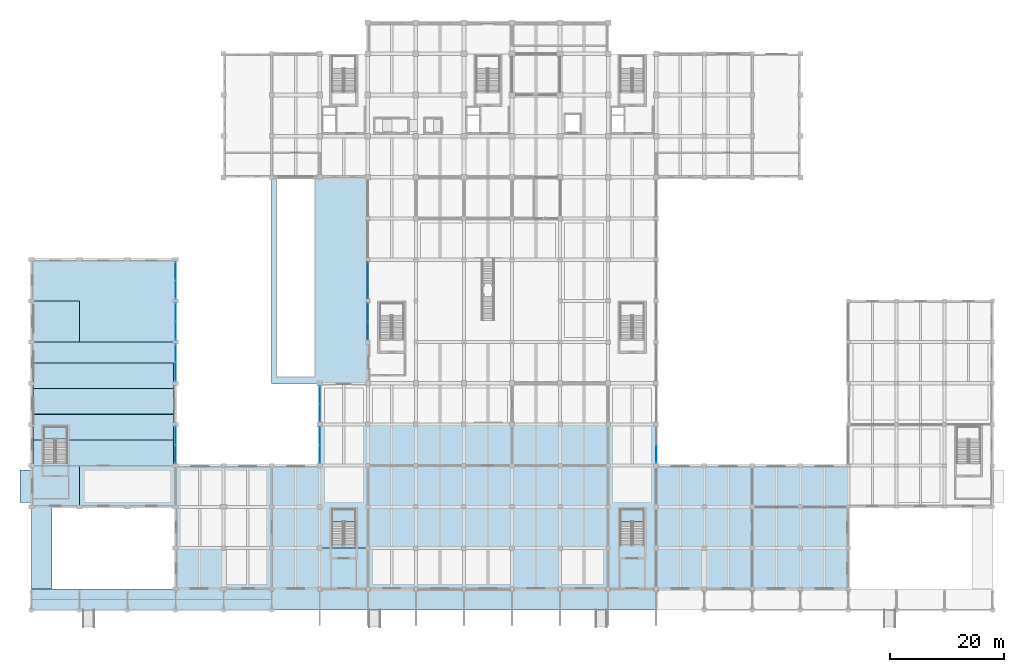
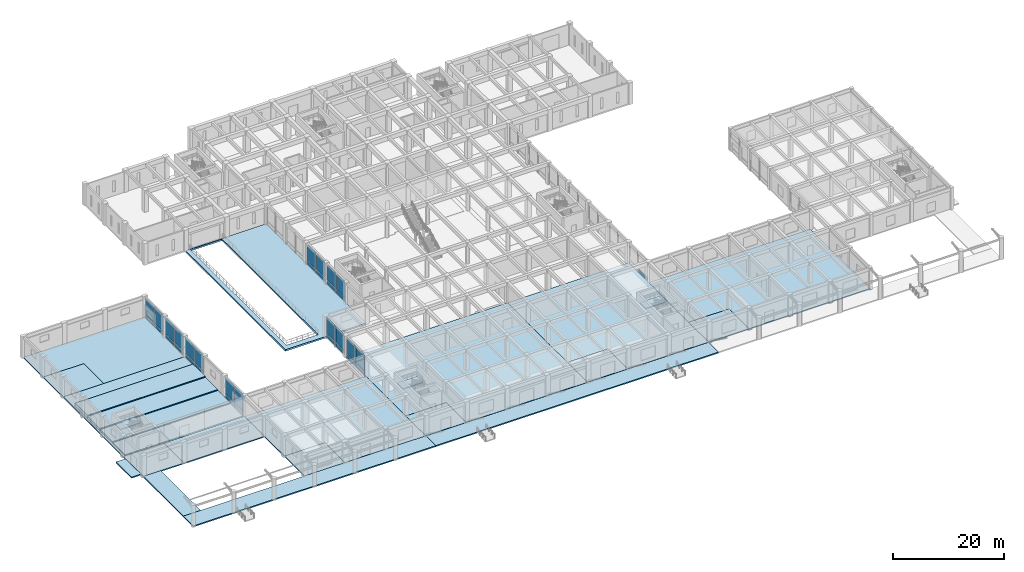
# One storey, part 19 of 49: 33 plates, 24 slabs, 12 elements without a shape of their own.
"""IFC4 building model written with IfcOpenShell, lengths in metres."""

from ifc_helpers import new_model, si_unit, direction, frame, origin, origin_2d, place, context, subcontext, project, spatial, polyline, rectangle, outline, extrude, material, layer, layer_set, type_object, element, aggregate, save


model = new_model("IFC4")

# Units and contexts
model_context = context("Model", 3, precision=1e-05, world=origin(), true_north=direction((0.0, 1.0)))
body_context = subcontext(model_context, "Body", "Model", "MODEL_VIEW")
ifc_project = project(units=[si_unit("LENGTHUNIT", "METRE"), si_unit("AREAUNIT", "SQUARE_METRE"), si_unit("VOLUMEUNIT", "CUBIC_METRE"), si_unit("PLANEANGLEUNIT", "RADIAN"), si_unit("MASSUNIT", "GRAM", prefix="KILO")], contexts=[model_context])

# Site, building, storey
site_placement = place(None, origin())
site = spatial("IfcSite", under=ifc_project, at=site_placement, CompositionType="ELEMENT")
building_placement = place(site_placement, origin())
building = spatial("IfcBuilding", under=site, at=building_placement, Name="Kenerak Square Central Library", CompositionType="ELEMENT")
storey_placement = place(building_placement, origin())
storey = spatial("IfcBuildingStorey", under=building, at=storey_placement, Name="L00", CompositionType="ELEMENT", Elevation=0.0)

# Curtain wall, plates
ifc_material_1 = material(Name="Anodised aluminium and solar-control low-E glazing", Category="aluminium")
curtain_wall_type_1 = type_object("IfcCurtainWallType", Name="Curtain Wall CW-V3-65x45 6500x4525", PredefinedType="USERDEFINED", material=ifc_material_1)
curtain_wall_1_placement = place(storey_placement, origin())
curtain_wall_1 = element("IfcCurtainWall", 1, at=curtain_wall_1_placement, inside=storey, type_object=curtain_wall_type_1, Name="Curtain Wall CW-V3-65x45 L00 0017", ObjectType="CURTAIN WALL", PredefinedType="USERDEFINED")
ifc_material_2 = material(Name="Acoustic solar-control low-E double glazing", Category="glass")
ifc_layer_1 = layer(ifc_material_2, 0.028076171875)
ifc_layer_set_1 = layer_set([ifc_layer_1], Name="Acoustic solar-control low-E double glazing")
plate_type_1 = type_object("IfcPlateType", Name="Acoustic Laminated Curtain Panel CP-28", PredefinedType="CURTAIN_PANEL", material=ifc_layer_set_1)
plate_1_placement = place(storey_placement, frame((33.199951171875, 72.405029296875, 0.080078125), z_axis=(0.0, 0.0, 1.0), x_axis=(0.0, -1.0, 0.0)))
plate_1 = element("IfcPlate", 2, at=plate_1_placement, type_object=plate_type_1, Name="CW-V3-65x45 Panel 1.1", PredefinedType="CURTAIN_PANEL", context=body_context, shape_type="SweptSolid", body=[
    extrude(rectangle(XDim=3.1298828125, YDim=0.028076171875, at=origin_2d()), origin(), (0.0, 0.0, 1.0), 0.780029296875),
])
plate_2_placement = place(storey_placement, frame((33.199951171875, 72.405029296875, 0.93994140625), z_axis=(0.0, 0.0, 1.0), x_axis=(0.0, -1.0, 0.0)))
plate_2 = element("IfcPlate", 3, at=plate_2_placement, type_object=plate_type_1, Name="CW-V3-65x45 Panel 1.2", PredefinedType="CURTAIN_PANEL", context=body_context, shape_type="SweptSolid", body=[
    extrude(rectangle(XDim=3.1298828125, YDim=0.028076171875, at=origin_2d()), origin(), (0.0, 0.0, 1.0), 3.5048828125),
])
plate_3_placement = place(storey_placement, frame((33.199951171875, 69.195068359375, 0.080078125), z_axis=(0.0, 0.0, 1.0), x_axis=(0.0, -1.0, 0.0)))
plate_3 = element("IfcPlate", 4, at=plate_3_placement, type_object=plate_type_1, Name="CW-V3-65x45 Panel 2.1", PredefinedType="CURTAIN_PANEL", context=body_context, shape_type="SweptSolid", body=[
    extrude(rectangle(XDim=3.1298828125, YDim=0.028076171875, at=origin_2d()), origin(), (0.0, 0.0, 1.0), 0.780029296875),
])
plate_4_placement = place(storey_placement, frame((33.199951171875, 69.195068359375, 0.93994140625), z_axis=(0.0, 0.0, 1.0), x_axis=(0.0, -1.0, 0.0)))
plate_4 = element("IfcPlate", 5, at=plate_4_placement, type_object=plate_type_1, Name="CW-V3-65x45 Panel 2.2", PredefinedType="CURTAIN_PANEL", context=body_context, shape_type="SweptSolid", body=[
    extrude(rectangle(XDim=3.1298828125, YDim=0.028076171875, at=origin_2d()), origin(), (0.0, 0.0, 1.0), 3.5048828125),
])
aggregate(curtain_wall_1, [plate_1, plate_2, plate_3, plate_4])

curtain_wall_2_placement = place(storey_placement, origin())
curtain_wall_2 = element("IfcCurtainWall", 6, at=curtain_wall_2_placement, inside=storey, type_object=curtain_wall_type_1, Name="Curtain Wall CW-V3-65x45 L00 0018", ObjectType="CURTAIN WALL", PredefinedType="USERDEFINED")
plate_5_placement = place(storey_placement, frame((33.199951171875, 65.205078125, 0.080078125), z_axis=(0.0, 0.0, 1.0), x_axis=(0.0, -1.0, 0.0)))
plate_5 = element("IfcPlate", 7, at=plate_5_placement, type_object=plate_type_1, Name="CW-V3-65x45 Panel 1.1", PredefinedType="CURTAIN_PANEL", context=body_context, shape_type="SweptSolid", body=[
    extrude(rectangle(XDim=3.1298828125, YDim=0.028076171875, at=origin_2d()), origin(), (0.0, 0.0, 1.0), 0.780029296875),
])
plate_6_placement = place(storey_placement, frame((33.199951171875, 65.205078125, 0.93994140625), z_axis=(0.0, 0.0, 1.0), x_axis=(0.0, -1.0, 0.0)))
plate_6 = element("IfcPlate", 8, at=plate_6_placement, type_object=plate_type_1, Name="CW-V3-65x45 Panel 1.2", PredefinedType="CURTAIN_PANEL", context=body_context, shape_type="SweptSolid", body=[
    extrude(rectangle(XDim=3.1298828125, YDim=0.028076171875, at=origin_2d()), origin(), (0.0, 0.0, 1.0), 3.5048828125),
])
plate_7_placement = place(storey_placement, frame((33.199951171875, 61.9951171875, 0.080078125), z_axis=(0.0, 0.0, 1.0), x_axis=(0.0, -1.0, 0.0)))
plate_7 = element("IfcPlate", 9, at=plate_7_placement, type_object=plate_type_1, Name="CW-V3-65x45 Panel 2.1", PredefinedType="CURTAIN_PANEL", context=body_context, shape_type="SweptSolid", body=[
    extrude(rectangle(XDim=3.1298828125, YDim=0.028076171875, at=origin_2d()), origin(), (0.0, 0.0, 1.0), 0.780029296875),
])
plate_8_placement = place(storey_placement, frame((33.199951171875, 61.9951171875, 0.93994140625), z_axis=(0.0, 0.0, 1.0), x_axis=(0.0, -1.0, 0.0)))
plate_8 = element("IfcPlate", 10, at=plate_8_placement, type_object=plate_type_1, Name="CW-V3-65x45 Panel 2.2", PredefinedType="CURTAIN_PANEL", context=body_context, shape_type="SweptSolid", body=[
    extrude(rectangle(XDim=3.1298828125, YDim=0.028076171875, at=origin_2d()), origin(), (0.0, 0.0, 1.0), 3.5048828125),
])
aggregate(curtain_wall_2, [plate_5, plate_6, plate_7, plate_8])

curtain_wall_3_placement = place(storey_placement, origin())
curtain_wall_3 = element("IfcCurtainWall", 11, at=curtain_wall_3_placement, inside=storey, type_object=curtain_wall_type_1, Name="Curtain Wall CW-V3-65x45 L00 0019", ObjectType="CURTAIN WALL", PredefinedType="USERDEFINED")
plate_9_placement = place(storey_placement, frame((33.199951171875, 58.0048828125, 0.080078125), z_axis=(0.0, 0.0, 1.0), x_axis=(0.0, -1.0, 0.0)))
plate_9 = element("IfcPlate", 12, at=plate_9_placement, type_object=plate_type_1, Name="CW-V3-65x45 Panel 1.1", PredefinedType="CURTAIN_PANEL", context=body_context, shape_type="SweptSolid", body=[
    extrude(rectangle(XDim=3.1298828125, YDim=0.028076171875, at=origin_2d()), origin(), (0.0, 0.0, 1.0), 0.780029296875),
])
plate_10_placement = place(storey_placement, frame((33.199951171875, 58.0048828125, 0.93994140625), z_axis=(0.0, 0.0, 1.0), x_axis=(0.0, -1.0, 0.0)))
plate_10 = element("IfcPlate", 13, at=plate_10_placement, type_object=plate_type_1, Name="CW-V3-65x45 Panel 1.2", PredefinedType="CURTAIN_PANEL", context=body_context, shape_type="SweptSolid", body=[
    extrude(rectangle(XDim=3.1298828125, YDim=0.028076171875, at=origin_2d()), origin(), (0.0, 0.0, 1.0), 3.5048828125),
])
plate_11_placement = place(storey_placement, frame((33.199951171875, 54.794921875, 0.080078125), z_axis=(0.0, 0.0, 1.0), x_axis=(0.0, -1.0, 0.0)))
plate_11 = element("IfcPlate", 14, at=plate_11_placement, type_object=plate_type_1, Name="CW-V3-65x45 Panel 2.1", PredefinedType="CURTAIN_PANEL", context=body_context, shape_type="SweptSolid", body=[
    extrude(rectangle(XDim=3.1298828125, YDim=0.028076171875, at=origin_2d()), origin(), (0.0, 0.0, 1.0), 0.780029296875),
])
plate_12_placement = place(storey_placement, frame((33.199951171875, 54.794921875, 0.93994140625), z_axis=(0.0, 0.0, 1.0), x_axis=(0.0, -1.0, 0.0)))
plate_12 = element("IfcPlate", 15, at=plate_12_placement, type_object=plate_type_1, Name="CW-V3-65x45 Panel 2.2", PredefinedType="CURTAIN_PANEL", context=body_context, shape_type="SweptSolid", body=[
    extrude(rectangle(XDim=3.1298828125, YDim=0.028076171875, at=origin_2d()), origin(), (0.0, 0.0, 1.0), 3.5048828125),
])
aggregate(curtain_wall_3, [plate_9, plate_10, plate_11, plate_12])

curtain_wall_4_placement = place(storey_placement, origin())
curtain_wall_4 = element("IfcCurtainWall", 16, at=curtain_wall_4_placement, inside=storey, type_object=curtain_wall_type_1, Name="Curtain Wall CW-V3-65x45 L00 0020", ObjectType="CURTAIN WALL", PredefinedType="USERDEFINED")
plate_13_placement = place(storey_placement, frame((33.199951171875, 43.60498046875, 0.080078125), z_axis=(0.0, 0.0, 1.0), x_axis=(0.0, -1.0, 0.0)))
plate_13 = element("IfcPlate", 17, at=plate_13_placement, type_object=plate_type_1, Name="CW-V3-65x45 Panel 1.1", PredefinedType="CURTAIN_PANEL", context=body_context, shape_type="SweptSolid", body=[
    extrude(rectangle(XDim=3.1298828125, YDim=0.028076171875, at=origin_2d()), origin(), (0.0, 0.0, 1.0), 0.780029296875),
])
plate_14_placement = place(storey_placement, frame((33.199951171875, 43.60498046875, 0.93994140625), z_axis=(0.0, 0.0, 1.0), x_axis=(0.0, -1.0, 0.0)))
plate_14 = element("IfcPlate", 18, at=plate_14_placement, type_object=plate_type_1, Name="CW-V3-65x45 Panel 1.2", PredefinedType="CURTAIN_PANEL", context=body_context, shape_type="SweptSolid", body=[
    extrude(rectangle(XDim=3.1298828125, YDim=0.028076171875, at=origin_2d()), origin(), (0.0, 0.0, 1.0), 3.5048828125),
])
plate_15_placement = place(storey_placement, frame((33.199951171875, 40.39501953125, 0.080078125), z_axis=(0.0, 0.0, 1.0), x_axis=(0.0, -1.0, 0.0)))
plate_15 = element("IfcPlate", 19, at=plate_15_placement, type_object=plate_type_1, Name="CW-V3-65x45 Panel 2.1", PredefinedType="CURTAIN_PANEL", context=body_context, shape_type="SweptSolid", body=[
    extrude(rectangle(XDim=3.1298828125, YDim=0.028076171875, at=origin_2d()), origin(), (0.0, 0.0, 1.0), 0.780029296875),
])
plate_16_placement = place(storey_placement, frame((33.199951171875, 40.39501953125, 0.93994140625), z_axis=(0.0, 0.0, 1.0), x_axis=(0.0, -1.0, 0.0)))
plate_16 = element("IfcPlate", 20, at=plate_16_placement, type_object=plate_type_1, Name="CW-V3-65x45 Panel 2.2", PredefinedType="CURTAIN_PANEL", context=body_context, shape_type="SweptSolid", body=[
    extrude(rectangle(XDim=3.1298828125, YDim=0.028076171875, at=origin_2d()), origin(), (0.0, 0.0, 1.0), 3.5048828125),
])
aggregate(curtain_wall_4, [plate_13, plate_14, plate_15, plate_16])

# Slabs
ifc_material_3 = material(Name="Concrete C40/50", Category="concrete")
ifc_layer_2 = layer(ifc_material_3, 0.25)
ifc_layer_set_2 = layer_set([ifc_layer_2], Name="Concrete C40/50")
slab_type_1 = type_object("IfcSlabType", Name="Auditorium and Foyer Concourse Slab FS-250 C40/50", PredefinedType="FLOOR", material=ifc_layer_set_2)
slab_1_placement = place(storey_placement, frame((0.0, 0.0, -0.25)))
element("IfcSlab", 21, at=slab_1_placement, inside=storey, type_object=slab_type_1, Name="V1 Floor Slab L00 001", PredefinedType="FLOOR", context=body_context, shape_type="SweptSolid", body=[
    extrude(outline(polyline([(58.39990234375, 45.60009765625), (92.0, 45.60009765625), (92.0, 16.800048828125), (66.800048828125, 16.800048828125), (66.800048828125, 24.0), (58.39990234375, 24.0), (58.39990234375, 45.60009765625)])), origin(), (0.0, 0.0, 1.0), 0.25),
])
slab_2_placement = place(storey_placement, frame((0.0, 0.0, -0.25)))
element("IfcSlab", 22, at=slab_2_placement, inside=storey, type_object=slab_type_1, Name="V1 Floor Slab L00 002", PredefinedType="FLOOR", context=body_context, shape_type="SweptSolid", body=[
    extrude(outline(polyline([(66.800048828125, 16.800048828125), (66.800048828125, 24.0), (58.39990234375, 24.0), (58.39990234375, 16.800048828125), (66.800048828125, 16.800048828125)])), origin(), (0.0, 0.0, 1.0), 0.25),
])
slab_3_placement = place(storey_placement, frame((0.0, 0.0, -0.25)))
element("IfcSlab", 23, at=slab_3_placement, inside=storey, type_object=slab_type_1, Name="V1 Floor Slab L00 004", PredefinedType="FLOOR", context=body_context, shape_type="SweptSolid", body=[
    extrude(outline(polyline([(92.0, 45.60009765625), (117.199951171875, 45.60009765625), (117.199951171875, 16.800048828125), (100.39990234375, 16.800048828125), (100.39990234375, 24.0), (92.0, 24.0), (92.0, 45.60009765625)])), origin(), (0.0, 0.0, 1.0), 0.25),
])
slab_4_placement = place(storey_placement, frame((0.0, 0.0, -0.25)))
element("IfcSlab", 24, at=slab_4_placement, inside=storey, type_object=slab_type_1, Name="V1 Floor Slab L00 005", PredefinedType="FLOOR", context=body_context, shape_type="SweptSolid", body=[
    extrude(outline(polyline([(100.39990234375, 16.800048828125), (100.39990234375, 24.0), (92.0, 24.0), (92.0, 16.800048828125), (100.39990234375, 16.800048828125)])), origin(), (0.0, 0.0, 1.0), 0.25),
])
slab_5_placement = place(storey_placement, frame((0.0, 0.0, -0.25)))
element("IfcSlab", 25, at=slab_5_placement, inside=storey, type_object=slab_type_1, Name="V3 Floor Slab L00 028", PredefinedType="FLOOR", context=body_context, shape_type="SweptSolid", body=[
    extrude(outline(polyline([(8.0, 60.0), (33.199951171875, 60.0), (33.199951171875, 31.199951171875), (16.39990234375, 31.199951171875), (16.39990234375, 38.39990234375), (8.0, 38.39990234375), (8.0, 60.0)])), origin(), (0.0, 0.0, 1.0), 0.25),
])
slab_6_placement = place(storey_placement, frame((0.0, 0.0, -0.25)))
element("IfcSlab", 26, at=slab_6_placement, inside=storey, type_object=slab_type_1, Name="V3 Floor Slab L00 029", PredefinedType="FLOOR", context=body_context, shape_type="SweptSolid", body=[
    extrude(outline(polyline([(16.39990234375, 31.199951171875), (16.39990234375, 38.39990234375), (8.0, 38.39990234375), (8.0, 31.199951171875), (16.39990234375, 31.199951171875)])), origin(), (0.0, 0.0, 1.0), 0.25),
])
slab_7_placement = place(storey_placement, frame((0.0, 0.0, -0.25)))
element("IfcSlab", 27, at=slab_7_placement, inside=storey, type_object=slab_type_1, Name="V3 Floor Slab L00 030", PredefinedType="FLOOR", context=body_context, shape_type="SweptSolid", body=[
    extrude(outline(polyline([(8.0, 74.39990234375), (33.199951171875, 74.39990234375), (33.199951171875, 60.0), (16.39990234375, 60.0), (16.39990234375, 67.199951171875), (8.0, 67.199951171875), (8.0, 74.39990234375)])), origin(), (0.0, 0.0, 1.0), 0.25),
])
slab_8_placement = place(storey_placement, frame((0.0, 0.0, -0.25)))
element("IfcSlab", 28, at=slab_8_placement, inside=storey, type_object=slab_type_1, Name="V3 Floor Slab L00 031", PredefinedType="FLOOR", context=body_context, shape_type="SweptSolid", body=[
    extrude(outline(polyline([(16.39990234375, 60.0), (16.39990234375, 67.199951171875), (8.0, 67.199951171875), (8.0, 60.0), (16.39990234375, 60.0)])), origin(), (0.0, 0.0, 1.0), 0.25),
])
ifc_layer_3 = layer(ifc_material_3, 0.22509765625)
ifc_layer_set_3 = layer_set([ifc_layer_3], Name="Concrete C40/50")
slab_type_2 = type_object("IfcSlabType", Name="General Reading Room Slab FS-225 C40/50", PredefinedType="FLOOR", material=ifc_layer_set_3)
slab_9_placement = place(storey_placement, frame((0.0, 0.0, -0.22509765625)))
element("IfcSlab", 29, at=slab_9_placement, inside=storey, type_object=slab_type_2, Name="V6 Floor Slab L00 097", PredefinedType="FLOOR", context=body_context, shape_type="SweptSolid", body=[
    extrude(outline(polyline([(33.199951171875, 38.39990234375), (58.39990234375, 38.39990234375), (58.39990234375, 16.800048828125), (41.60009765625, 16.800048828125), (41.60009765625, 24.0), (33.199951171875, 24.0), (33.199951171875, 38.39990234375)])), origin(), (0.0, 0.0, 1.0), 0.22509765625),
])
slab_10_placement = place(storey_placement, frame((0.0, 0.0, -0.22509765625)))
element("IfcSlab", 30, at=slab_10_placement, inside=storey, type_object=slab_type_2, Name="V6 Floor Slab L00 098", PredefinedType="FLOOR", context=body_context, shape_type="SweptSolid", body=[
    extrude(outline(polyline([(41.60009765625, 16.800048828125), (41.60009765625, 24.0), (33.199951171875, 24.0), (33.199951171875, 16.800048828125), (41.60009765625, 16.800048828125)])), origin(), (0.0, 0.0, 1.0), 0.22509765625),
])
slab_11_placement = place(storey_placement, frame((0.0, 0.0, -0.22509765625)))
element("IfcSlab", 31, at=slab_11_placement, inside=storey, type_object=slab_type_2, Name="V6 Floor Slab L00 099", PredefinedType="FLOOR", context=body_context, shape_type="SweptSolid", body=[
    extrude(outline(polyline([(117.199951171875, 38.39990234375), (150.800048828125, 38.39990234375), (150.800048828125, 16.800048828125), (125.60009765625, 16.800048828125), (125.60009765625, 24.0), (117.199951171875, 24.0), (117.199951171875, 38.39990234375)])), origin(), (0.0, 0.0, 1.0), 0.22509765625),
])
slab_12_placement = place(storey_placement, frame((0.0, 0.0, -0.22509765625)))
element("IfcSlab", 32, at=slab_12_placement, inside=storey, type_object=slab_type_2, Name="V6 Floor Slab L00 100", PredefinedType="FLOOR", context=body_context, shape_type="SweptSolid", body=[
    extrude(outline(polyline([(125.60009765625, 16.800048828125), (125.60009765625, 24.0), (117.199951171875, 24.0), (117.199951171875, 16.800048828125), (125.60009765625, 16.800048828125)])), origin(), (0.0, 0.0, 1.0), 0.22509765625),
])

# Curtain wall, plates
curtain_wall_type_2 = type_object("IfcCurtainWallType", Name="Curtain Wall CW-V4-64x45 6400x4525", PredefinedType="USERDEFINED", material=ifc_material_1)
curtain_wall_5_placement = place(storey_placement, origin())
curtain_wall_5 = element("IfcCurtainWall", 33, at=curtain_wall_5_placement, inside=storey, type_object=curtain_wall_type_2, Name="Curtain Wall CW-V4-64x45 L00 0003", ObjectType="CURTAIN WALL", PredefinedType="USERDEFINED")
ifc_material_4 = material(Name="Solar-control low-E laminated double glazing", Category="glass")
ifc_layer_4 = layer(ifc_material_4, 0.02392578125)
ifc_layer_set_4 = layer_set([ifc_layer_4], Name="Solar-control low-E laminated double glazing")
plate_type_2 = type_object("IfcPlateType", Name="Low-E Double Glazed Curtain Panel CP-24", PredefinedType="CURTAIN_PANEL", material=ifc_layer_set_4)
plate_17_placement = place(storey_placement, frame((66.800048828125, 62.016357421875, 0.06494140625), z_axis=(0.0, 0.0, 1.0), x_axis=(0.0, 1.0, 0.0)))
plate_17 = element("IfcPlate", 34, at=plate_17_placement, type_object=plate_type_2, Name="CW-V4-64x45 Panel 1.1", PredefinedType="CURTAIN_PANEL", context=body_context, shape_type="SweptSolid", body=[
    extrude(rectangle(XDim=3.1025390625, YDim=0.02392578125, at=origin_2d()), origin(), (0.0, 0.0, 1.0), 0.802490234375),
])
plate_18_placement = place(storey_placement, frame((66.800048828125, 62.016357421875, 0.9326171875), z_axis=(0.0, 0.0, 1.0), x_axis=(0.0, 1.0, 0.0)))
plate_18 = element("IfcPlate", 35, at=plate_18_placement, type_object=plate_type_2, Name="CW-V4-64x45 Panel 1.2", PredefinedType="CURTAIN_PANEL", context=body_context, shape_type="SweptSolid", body=[
    extrude(rectangle(XDim=3.1025390625, YDim=0.02392578125, at=origin_2d()), origin(), (0.0, 0.0, 1.0), 3.527587890625),
])
plate_19_placement = place(storey_placement, frame((66.800048828125, 65.183837890625, 0.06494140625), z_axis=(0.0, 0.0, 1.0), x_axis=(0.0, 1.0, 0.0)))
plate_19 = element("IfcPlate", 36, at=plate_19_placement, type_object=plate_type_2, Name="CW-V4-64x45 Panel 2.1", PredefinedType="CURTAIN_PANEL", context=body_context, shape_type="SweptSolid", body=[
    extrude(rectangle(XDim=3.1025390625, YDim=0.02392578125, at=origin_2d()), origin(), (0.0, 0.0, 1.0), 0.802490234375),
])
plate_20_placement = place(storey_placement, frame((66.800048828125, 65.183837890625, 0.9326171875), z_axis=(0.0, 0.0, 1.0), x_axis=(0.0, 1.0, 0.0)))
plate_20 = element("IfcPlate", 37, at=plate_20_placement, type_object=plate_type_2, Name="CW-V4-64x45 Panel 2.2", PredefinedType="CURTAIN_PANEL", context=body_context, shape_type="SweptSolid", body=[
    extrude(rectangle(XDim=3.1025390625, YDim=0.02392578125, at=origin_2d()), origin(), (0.0, 0.0, 1.0), 3.527587890625),
])
aggregate(curtain_wall_5, [plate_17, plate_18, plate_19, plate_20])

curtain_wall_6_placement = place(storey_placement, origin())
curtain_wall_6 = element("IfcCurtainWall", 38, at=curtain_wall_6_placement, inside=storey, type_object=curtain_wall_type_2, Name="Curtain Wall CW-V4-64x45 L00 0004", ObjectType="CURTAIN WALL", PredefinedType="USERDEFINED")
plate_21_placement = place(storey_placement, frame((66.800048828125, 69.21630859375, 0.06494140625), z_axis=(0.0, 0.0, 1.0), x_axis=(0.0, 1.0, 0.0)))
plate_21 = element("IfcPlate", 39, at=plate_21_placement, type_object=plate_type_2, Name="CW-V4-64x45 Panel 1.1", PredefinedType="CURTAIN_PANEL", context=body_context, shape_type="SweptSolid", body=[
    extrude(rectangle(XDim=3.1025390625, YDim=0.02392578125, at=origin_2d()), origin(), (0.0, 0.0, 1.0), 0.802490234375),
])
plate_22_placement = place(storey_placement, frame((66.800048828125, 69.21630859375, 0.9326171875), z_axis=(0.0, 0.0, 1.0), x_axis=(0.0, 1.0, 0.0)))
plate_22 = element("IfcPlate", 40, at=plate_22_placement, type_object=plate_type_2, Name="CW-V4-64x45 Panel 1.2", PredefinedType="CURTAIN_PANEL", context=body_context, shape_type="SweptSolid", body=[
    extrude(rectangle(XDim=3.1025390625, YDim=0.02392578125, at=origin_2d()), origin(), (0.0, 0.0, 1.0), 3.527587890625),
])
plate_23_placement = place(storey_placement, frame((66.800048828125, 72.3837890625, 0.06494140625), z_axis=(0.0, 0.0, 1.0), x_axis=(0.0, 1.0, 0.0)))
plate_23 = element("IfcPlate", 41, at=plate_23_placement, type_object=plate_type_2, Name="CW-V4-64x45 Panel 2.1", PredefinedType="CURTAIN_PANEL", context=body_context, shape_type="SweptSolid", body=[
    extrude(rectangle(XDim=3.1025390625, YDim=0.02392578125, at=origin_2d()), origin(), (0.0, 0.0, 1.0), 0.802490234375),
])
plate_24_placement = place(storey_placement, frame((66.800048828125, 72.3837890625, 0.9326171875), z_axis=(0.0, 0.0, 1.0), x_axis=(0.0, 1.0, 0.0)))
plate_24 = element("IfcPlate", 42, at=plate_24_placement, type_object=plate_type_2, Name="CW-V4-64x45 Panel 2.2", PredefinedType="CURTAIN_PANEL", context=body_context, shape_type="SweptSolid", body=[
    extrude(rectangle(XDim=3.1025390625, YDim=0.02392578125, at=origin_2d()), origin(), (0.0, 0.0, 1.0), 3.527587890625),
])
aggregate(curtain_wall_6, [plate_21, plate_22, plate_23, plate_24])

# Slabs
ifc_layer_5 = layer(ifc_material_3, 0.2099609375)
ifc_layer_set_5 = layer_set([ifc_layer_5], Name="Concrete C40/50")
slab_type_3 = type_object("IfcSlabType", Name="Raked Auditorium Seating Tier Slab ST-210 C40/50", PredefinedType="USERDEFINED", material=ifc_layer_set_5)
slab_13_placement = place(storey_placement, origin())
element("IfcSlab", 43, at=slab_13_placement, inside=storey, type_object=slab_type_3, Name="Stand Lower Stalls Tier 1", ObjectType="SEATING TIER", PredefinedType="USERDEFINED", context=body_context, shape_type="SweptSolid", body=[
    extrude(outline(polyline([(8.35009765625, 38.39990234375), (32.85009765625, 38.39990234375), (32.85009765625, 42.85009765625), (8.35009765625, 42.85009765625), (8.35009765625, 38.39990234375)])), origin(), (0.0, 0.0, 1.0), 0.2099609375),
])
slab_14_placement = place(storey_placement, origin())
element("IfcSlab", 44, at=slab_14_placement, inside=storey, type_object=slab_type_3, Name="Stand Lower Stalls Tier 2", ObjectType="SEATING TIER", PredefinedType="USERDEFINED", context=body_context, shape_type="SweptSolid", body=[
    extrude(outline(polyline([(8.35009765625, 42.89990234375), (32.85009765625, 42.89990234375), (32.85009765625, 47.35009765625), (8.35009765625, 47.35009765625), (8.35009765625, 42.89990234375)])), origin(), (0.0, 0.0, 1.0), 0.3798828125),
])
slab_15_placement = place(storey_placement, origin())
element("IfcSlab", 45, at=slab_15_placement, inside=storey, type_object=slab_type_3, Name="Stand Lower Stalls Tier 3", ObjectType="SEATING TIER", PredefinedType="USERDEFINED", context=body_context, shape_type="SweptSolid", body=[
    extrude(outline(polyline([(8.35009765625, 47.39990234375), (32.85009765625, 47.39990234375), (32.85009765625, 51.85009765625), (8.35009765625, 51.85009765625), (8.35009765625, 47.39990234375)])), origin(), (0.0, 0.0, 1.0), 0.550048828125),
])
slab_16_placement = place(storey_placement, origin())
element("IfcSlab", 46, at=slab_16_placement, inside=storey, type_object=slab_type_3, Name="Stand Lower Stalls Tier 4", ObjectType="SEATING TIER", PredefinedType="USERDEFINED", context=body_context, shape_type="SweptSolid", body=[
    extrude(outline(polyline([(8.35009765625, 51.89990234375), (32.85009765625, 51.89990234375), (32.85009765625, 56.35009765625), (8.35009765625, 56.35009765625), (8.35009765625, 51.89990234375)])), origin(), (0.0, 0.0, 1.0), 0.719970703125),
])
ifc_layer_6 = layer(ifc_material_3, 0.260009765625)
ifc_layer_set_6 = layer_set([ifc_layer_6], Name="Concrete C40/50")
slab_type_4 = type_object("IfcSlabType", Name="Shaded Square Colonnade Deck Slab CS-260 C40/50", PredefinedType="FLOOR", material=ifc_layer_set_6)
slab_17_placement = place(storey_placement, frame((0.0, 0.0, -0.25)))
element("IfcSlab", 47, at=slab_17_placement, inside=storey, type_object=slab_type_4, Name="South-West Square Colonnade", PredefinedType="FLOOR", context=body_context, shape_type="SweptSolid", body=[
    extrude(outline(polyline([(8.0, 13.199951171875), (58.39990234375, 13.199951171875), (58.39990234375, 16.800048828125), (8.0, 16.800048828125), (8.0, 13.199951171875)])), origin(), (0.0, 0.0, 1.0), 0.25),
])
slab_18_placement = place(storey_placement, frame((0.0, 0.0, -0.25)))
element("IfcSlab", 48, at=slab_18_placement, inside=storey, type_object=slab_type_4, Name="West Square Colonnade", PredefinedType="FLOOR", context=body_context, shape_type="SweptSolid", body=[
    extrude(outline(polyline([(8.0, 16.800048828125), (11.60009765625, 16.800048828125), (11.60009765625, 31.199951171875), (8.0, 31.199951171875), (8.0, 16.800048828125)])), origin(), (0.0, 0.0, 1.0), 0.25),
])
slab_19_placement = place(storey_placement, frame((0.0, 0.0, -0.25)))
element("IfcSlab", 49, at=slab_19_placement, inside=storey, type_object=slab_type_4, Name="Main Square South Entrance Apron Paving", PredefinedType="FLOOR", context=body_context, shape_type="SweptSolid", body=[
    extrude(outline(polyline([(58.449951171875, 13.199951171875), (117.14990234375, 13.199951171875), (117.14990234375, 16.75), (58.449951171875, 16.75), (58.449951171875, 13.199951171875)])), origin(), (0.0, 0.0, 1.0), 0.25),
])
slab_20_placement = place(storey_placement, frame((0.0, 0.0, -0.260009765625)))
element("IfcSlab", 50, at=slab_20_placement, inside=storey, type_object=slab_type_4, Name="West Fire Exit Apron ST-06", PredefinedType="FLOOR", context=body_context, shape_type="SweptSolid", body=[
    extrude(outline(polyline([(6.0, 32.0), (8.0, 32.0), (8.0, 37.60009765625), (6.0, 37.60009765625), (6.0, 32.0)])), origin(), (0.0, 0.0, 1.0), 0.260009765625),
])

# Stair, slab
stair_type = type_object("IfcStairType", Name="Exit Dogleg Stair ST-480 C40/50", PredefinedType="HALF_TURN_STAIR", material=ifc_material_3)
stair_1_placement = place(storey_placement, origin())
stair_1 = element("IfcStair", 51, at=stair_1_placement, inside=storey, type_object=stair_type, Name="L00 Protected Exit Stair ST-04", PredefinedType="HALF_TURN_STAIR")
ifc_layer_7 = layer(ifc_material_3, 0.199951171875)
ifc_layer_set_7 = layer_set([ifc_layer_7], Name="Concrete C40/50")
slab_type_5 = type_object("IfcSlabType", Name="Stair Half-Landing Slab LD-200 C40/50", PredefinedType="LANDING", material=ifc_layer_set_7)
slab_21_placement = place(storey_placement, frame((0.0, 0.0, 2.199951171875)))
slab_21 = element("IfcSlab", 52, at=slab_21_placement, type_object=slab_type_5, Name="ST-04 Landing 1", PredefinedType="LANDING", context=body_context, shape_type="SweptSolid", body=[
    extrude(outline(polyline([(64.679931640625, 28.64990234375), (64.679931640625, 30.800048828125), (60.52001953125, 30.800048828125), (60.52001953125, 28.64990234375), (64.679931640625, 28.64990234375)])), origin(), (0.0, 0.0, 1.0), 0.199951171875),
])
aggregate(stair_1, [slab_21])

stair_2_placement = place(storey_placement, origin())
stair_2 = element("IfcStair", 53, at=stair_2_placement, inside=storey, type_object=stair_type, Name="L00 Protected Exit Stair ST-05", PredefinedType="HALF_TURN_STAIR")
slab_22_placement = place(storey_placement, frame((0.0, 0.0, 2.199951171875)))
slab_22 = element("IfcSlab", 54, at=slab_22_placement, type_object=slab_type_5, Name="ST-05 Landing 1", PredefinedType="LANDING", context=body_context, shape_type="SweptSolid", body=[
    extrude(outline(polyline([(115.080078125, 28.64990234375), (115.080078125, 30.800048828125), (110.919921875, 30.800048828125), (110.919921875, 28.64990234375), (115.080078125, 28.64990234375)])), origin(), (0.0, 0.0, 1.0), 0.199951171875),
])
aggregate(stair_2, [slab_22])

stair_3_placement = place(storey_placement, origin())
stair_3 = element("IfcStair", 55, at=stair_3_placement, inside=storey, type_object=stair_type, Name="L00 Protected Exit Stair ST-06", PredefinedType="HALF_TURN_STAIR")
slab_23_placement = place(storey_placement, frame((0.0, 0.0, 2.199951171875)))
slab_23 = element("IfcSlab", 56, at=slab_23_placement, type_object=slab_type_5, Name="ST-06 Landing 1", PredefinedType="LANDING", context=body_context, shape_type="SweptSolid", body=[
    extrude(outline(polyline([(14.280029296875, 43.050048828125), (14.280029296875, 45.199951171875), (10.1201171875, 45.199951171875), (10.1201171875, 43.050048828125), (14.280029296875, 43.050048828125)])), origin(), (0.0, 0.0, 1.0), 0.199951171875),
])
aggregate(stair_3, [slab_23])

# Slab
ifc_layer_8 = layer(ifc_material_3, 0.35009765625)
ifc_layer_set_8 = layer_set([ifc_layer_8], Name="Concrete C40/50")
slab_type_6 = type_object("IfcSlabType", Name="Transfer and Plant Room Slab FS-350 C40/50", PredefinedType="FLOOR", material=ifc_layer_set_8)
slab_24_placement = place(storey_placement, frame((0.0, 0.0, -0.35009765625)))
element("IfcSlab", 57, at=slab_24_placement, inside=storey, type_object=slab_type_6, Name="West Monsoon Court Basement Podium Deck", PredefinedType="FLOOR", context=body_context, shape_type="SweptSolid", body=[
    extrude(outline(polyline([(50.0, 52.800048828125), (66.800048828125, 52.800048828125), (66.800048828125, 88.800048828125), (50.0, 88.800048828125), (50.0, 52.800048828125)]), holes=[polyline([(50.89990234375, 54.0), (57.5, 54.0), (57.5, 88.60009765625), (50.89990234375, 88.60009765625), (50.89990234375, 54.0)])]), origin(), (0.0, 0.0, 1.0), 0.35009765625),
])

# Curtain wall, plates
curtain_wall_type_3 = type_object("IfcCurtainWallType", Name="Curtain Wall CW-V1-63x45 6300x4525", PredefinedType="USERDEFINED", material=ifc_material_1)
curtain_wall_7_placement = place(storey_placement, origin())
curtain_wall_7 = element("IfcCurtainWall", 58, at=curtain_wall_7_placement, inside=storey, type_object=curtain_wall_type_3, Name="Curtain Wall CW-V1-63x45 L00 0001", ObjectType="CURTAIN WALL", PredefinedType="USERDEFINED")
ifc_material_5 = material(Name="Triple-laminated solar-control low-E glazing", Category="glass")
ifc_layer_9 = layer(ifc_material_5, 0.031982421875)
ifc_layer_set_9 = layer_set([ifc_layer_9], Name="Triple-laminated solar-control low-E glazing")
plate_type_3 = type_object("IfcPlateType", Name="Triple-Laminated Reading Hall Panel CP-32", PredefinedType="CURTAIN_PANEL", material=ifc_layer_set_9)
plate_25_placement = place(storey_placement, frame((58.39990234375, 40.44384765625, 0.074951171875), z_axis=(0.0, 0.0, 1.0), x_axis=(0.0, 1.0, 0.0)))
plate_25 = element("IfcPlate", 59, at=plate_25_placement, type_object=plate_type_3, Name="CW-V1-63x45 Panel 1.1", PredefinedType="CURTAIN_PANEL", context=body_context, shape_type="SweptSolid", body=[
    extrude(rectangle(XDim=3.03759765625, YDim=0.031982421875, at=origin_2d()), origin(), (0.0, 0.0, 1.0), 0.78759765625),
])
plate_26_placement = place(storey_placement, frame((58.39990234375, 40.44384765625, 0.9375), z_axis=(0.0, 0.0, 1.0), x_axis=(0.0, 1.0, 0.0)))
plate_26 = element("IfcPlate", 60, at=plate_26_placement, type_object=plate_type_3, Name="CW-V1-63x45 Panel 1.2", PredefinedType="CURTAIN_PANEL", context=body_context, shape_type="SweptSolid", body=[
    extrude(rectangle(XDim=3.03759765625, YDim=0.031982421875, at=origin_2d()), origin(), (0.0, 0.0, 1.0), 3.512451171875),
])
plate_27_placement = place(storey_placement, frame((58.39990234375, 43.55615234375, 0.074951171875), z_axis=(0.0, 0.0, 1.0), x_axis=(0.0, 1.0, 0.0)))
plate_27 = element("IfcPlate", 61, at=plate_27_placement, type_object=plate_type_3, Name="CW-V1-63x45 Panel 2.1", PredefinedType="CURTAIN_PANEL", context=body_context, shape_type="SweptSolid", body=[
    extrude(rectangle(XDim=3.03759765625, YDim=0.031982421875, at=origin_2d()), origin(), (0.0, 0.0, 1.0), 0.78759765625),
])
plate_28_placement = place(storey_placement, frame((58.39990234375, 43.55615234375, 0.9375), z_axis=(0.0, 0.0, 1.0), x_axis=(0.0, 1.0, 0.0)))
plate_28 = element("IfcPlate", 62, at=plate_28_placement, type_object=plate_type_3, Name="CW-V1-63x45 Panel 2.2", PredefinedType="CURTAIN_PANEL", context=body_context, shape_type="SweptSolid", body=[
    extrude(rectangle(XDim=3.03759765625, YDim=0.031982421875, at=origin_2d()), origin(), (0.0, 0.0, 1.0), 3.512451171875),
])
aggregate(curtain_wall_7, [plate_25, plate_26, plate_27, plate_28])

curtain_wall_8_placement = place(storey_placement, origin())
curtain_wall_8 = element("IfcCurtainWall", 63, at=curtain_wall_8_placement, inside=storey, type_object=curtain_wall_type_3, Name="Curtain Wall CW-V1-63x45 L00 0002", ObjectType="CURTAIN WALL", PredefinedType="USERDEFINED")
plate_29_placement = place(storey_placement, frame((58.39990234375, 47.643798828125, 0.074951171875), z_axis=(0.0, 0.0, 1.0), x_axis=(0.0, 1.0, 0.0)))
plate_29 = element("IfcPlate", 64, at=plate_29_placement, type_object=plate_type_3, Name="CW-V1-63x45 Panel 1.1", PredefinedType="CURTAIN_PANEL", context=body_context, shape_type="SweptSolid", body=[
    extrude(rectangle(XDim=3.03759765625, YDim=0.031982421875, at=origin_2d()), origin(), (0.0, 0.0, 1.0), 0.78759765625),
])
plate_30_placement = place(storey_placement, frame((58.39990234375, 47.643798828125, 0.9375), z_axis=(0.0, 0.0, 1.0), x_axis=(0.0, 1.0, 0.0)))
plate_30 = element("IfcPlate", 65, at=plate_30_placement, type_object=plate_type_3, Name="CW-V1-63x45 Panel 1.2", PredefinedType="CURTAIN_PANEL", context=body_context, shape_type="SweptSolid", body=[
    extrude(rectangle(XDim=3.03759765625, YDim=0.031982421875, at=origin_2d()), origin(), (0.0, 0.0, 1.0), 3.512451171875),
])
plate_31_placement = place(storey_placement, frame((58.39990234375, 50.75634765625, 0.074951171875), z_axis=(0.0, 0.0, 1.0), x_axis=(0.0, 1.0, 0.0)))
plate_31 = element("IfcPlate", 66, at=plate_31_placement, type_object=plate_type_3, Name="CW-V1-63x45 Panel 2.1", PredefinedType="CURTAIN_PANEL", context=body_context, shape_type="SweptSolid", body=[
    extrude(rectangle(XDim=3.03759765625, YDim=0.031982421875, at=origin_2d()), origin(), (0.0, 0.0, 1.0), 0.78759765625),
])
plate_32_placement = place(storey_placement, frame((58.39990234375, 50.75634765625, 0.9375), z_axis=(0.0, 0.0, 1.0), x_axis=(0.0, 1.0, 0.0)))
plate_32 = element("IfcPlate", 67, at=plate_32_placement, type_object=plate_type_3, Name="CW-V1-63x45 Panel 2.2", PredefinedType="CURTAIN_PANEL", context=body_context, shape_type="SweptSolid", body=[
    extrude(rectangle(XDim=3.03759765625, YDim=0.031982421875, at=origin_2d()), origin(), (0.0, 0.0, 1.0), 3.512451171875),
])
aggregate(curtain_wall_8, [plate_29, plate_30, plate_31, plate_32])

# Curtain wall, plate
curtain_wall_9_placement = place(storey_placement, origin())
curtain_wall_9 = element("IfcCurtainWall", 68, at=curtain_wall_9_placement, inside=storey, type_object=curtain_wall_type_3, Name="Curtain Wall CW-V1-63x45 L00 0013", ObjectType="CURTAIN WALL", PredefinedType="USERDEFINED")
plate_33_placement = place(storey_placement, frame((117.199951171875, 40.44384765625, 0.074951171875), z_axis=(0.0, 0.0, 1.0), x_axis=(0.0, -1.0, 0.0)))
plate_33 = element("IfcPlate", 69, at=plate_33_placement, type_object=plate_type_3, Name="CW-V1-63x45 Panel 2.1", PredefinedType="CURTAIN_PANEL", context=body_context, shape_type="SweptSolid", body=[
    extrude(rectangle(XDim=3.03759765625, YDim=0.031982421875, at=origin_2d()), origin(), (0.0, 0.0, 1.0), 0.78759765625),
])
aggregate(curtain_wall_9, [plate_33])

save(model, "model.ifc")
